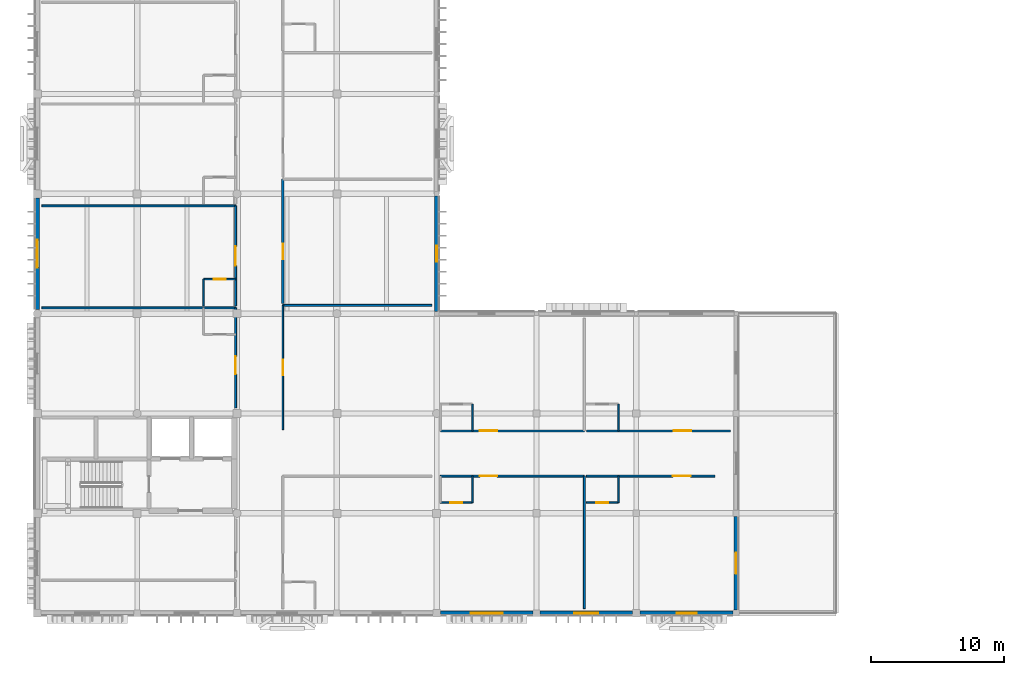
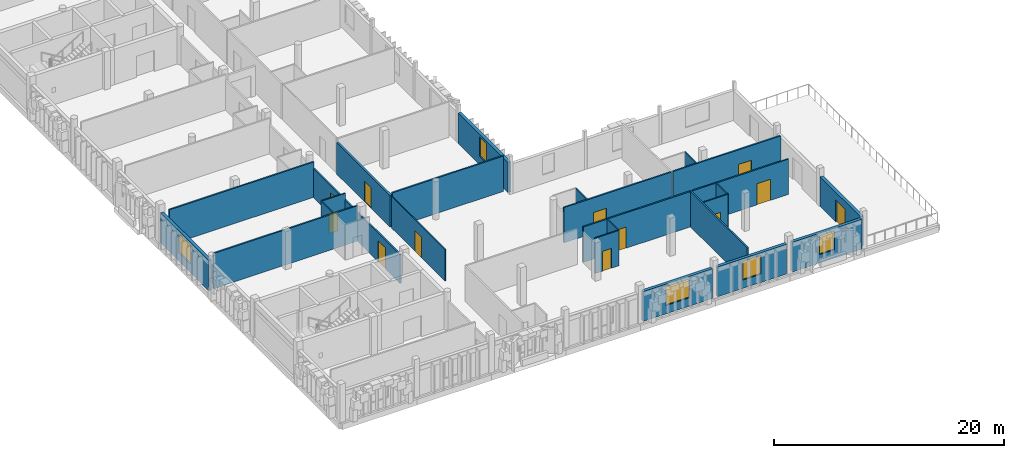
# One storey, part 11 of 33: 26 walls, 12 doors, 5 windows, 17 openings.
"""IFC4 building model written with IfcOpenShell, lengths in metres."""

from ifc_helpers import new_model, si_unit, direction, frame, frame_2d, origin, place, context, subcontext, project, spatial, rectangle, extrude, material, layer, layer_set, type_object, element, fill, save


model = new_model("IFC4")

# Units and contexts
model_context = context("Model", 3, precision=1e-05, world=origin(), true_north=direction((0.0, 1.0)))
body_context = subcontext(model_context, "Body", "Model", "MODEL_VIEW")
ifc_project = project(units=[si_unit("LENGTHUNIT", "METRE"), si_unit("AREAUNIT", "SQUARE_METRE"), si_unit("VOLUMEUNIT", "CUBIC_METRE"), si_unit("PLANEANGLEUNIT", "RADIAN"), si_unit("MASSUNIT", "GRAM", prefix="KILO")], contexts=[model_context])

# Site, building, storey
site_placement = place(None, origin())
site = spatial("IfcSite", under=ifc_project, at=site_placement, CompositionType="ELEMENT")
building_placement = place(site_placement, origin())
building = spatial("IfcBuilding", under=site, at=building_placement, Name="Dalvernix Boulevard General Hospital", CompositionType="ELEMENT")
storey_placement = place(building_placement, frame((0.0, 0.0, 21.89990234375)))
storey = spatial("IfcBuildingStorey", under=building, at=storey_placement, Name="L05", CompositionType="ELEMENT", Elevation=21.89990234375)

# Wall, opening, window
ifc_material_1 = material(Name="Pressed Catalan clay brick and ceramic spandrel wall C35/45", Category="masonry")
ifc_layer_1 = layer(ifc_material_1, 0.300048828125)
ifc_layer_set_1 = layer_set([ifc_layer_1], Name="Pressed Catalan clay brick and ceramic spandrel wall C35/45 (WAL-EW-02)")
wall_type_1 = type_object("IfcWallType", Name="WAL-EW-02", PredefinedType="STANDARD", material=ifc_layer_set_1)
wall_1_placement = place(storey_placement, frame((0.0, 22.81005859375, 0.0), z_axis=(0.0, 0.0, 1.0), x_axis=(0.0, 1.0, 0.0)))
wall_1 = element("IfcWall", 1, at=wall_1_placement, inside=storey, type_object=wall_type_1, Name="L05 Catalan brick external wall W 0-3", PredefinedType="STANDARD", context=body_context, shape_type="SweptSolid", body=[
    extrude(rectangle(XDim=8.3798828125, YDim=0.300048828125, at=frame_2d((4.18994140625, 0.0))), origin(), (0.0, 0.0, 1.0), 3.22021484375),
])
opening_1_placement = place(wall_1_placement, frame((3.139892578125, 0.0, 0.89990234375)))
opening_1 = element("IfcOpeningElement", 2, at=opening_1_placement, cuts=wall_1, Name="Opening WN-03", PredefinedType="OPENING", context=body_context, shape_type="SweptSolid", body=[
    extrude(rectangle(XDim=2.10009765625, YDim=2.0400390625, at=frame_2d((1.050048828125, 1.02001953125))), frame((0.0, 0.159912109375, 0.0), z_axis=(0.0, -1.0, 0.0), x_axis=(1.0, 0.0, 0.0)), (0.0, 0.0, 1.0), 0.320068359375),
])
ifc_material_2 = material(Name="Thermally broken aluminium frame with solar-control double glazing", Category="aluminium")
window_type_1 = type_object("IfcWindowType", Name="WIN-WN-03", PartitioningType="SINGLE_PANEL", PredefinedType="WINDOW", material=ifc_material_2)
window_1_placement = place(opening_1_placement, origin())
window_1 = element("IfcWindow", 3, at=window_1_placement, inside=storey, type_object=window_type_1, Name="L05 clinical window WN-03 W 0-3", OverallHeight=2.0400390625, OverallWidth=2.10009765625, PartitioningType="SINGLE_PANEL", PredefinedType="WINDOW", context=body_context, shape_type="SweptSolid", body=[
    extrude(rectangle(XDim=2.10009765625, YDim=2.0400390625, at=frame_2d((1.050048828125, 1.02001953125))), frame((0.0, 0.030029296875, 0.0), z_axis=(0.0, -1.0, 0.0), x_axis=(1.0, 0.0, 0.0)), (0.0, 0.0, 1.0), 0.06005859375),
])
fill(opening_1, window_1)

wall_2_placement = place(storey_placement, frame((30.0, 31.330078125, 0.0), z_axis=(0.0, 0.0, 1.0), x_axis=(0.0, -1.0, 0.0)))
wall_2 = element("IfcWall", 4, at=wall_2_placement, inside=storey, type_object=wall_type_1, Name="L05 Catalan brick external wall E 4-3", PredefinedType="STANDARD", context=body_context, shape_type="SweptSolid", body=[
    extrude(rectangle(XDim=8.66015625, YDim=0.300048828125, at=frame_2d((4.330078125, 0.0))), origin(), (0.0, 0.0, 1.0), 3.22021484375),
])
opening_2_placement = place(wall_2_placement, frame((3.72998046875, 0.0, 0.89990234375)))
opening_2 = element("IfcOpeningElement", 5, at=opening_2_placement, cuts=wall_2, Name="Opening WN-07", PredefinedType="OPENING", context=body_context, shape_type="SweptSolid", body=[
    extrude(rectangle(XDim=1.199951171875, YDim=2.0400390625, at=frame_2d((0.60009765625, 1.02001953125))), frame((0.0, 0.159912109375, 0.0), z_axis=(0.0, -1.0, 0.0), x_axis=(1.0, 0.0, 0.0)), (0.0, 0.0, 1.0), 0.320068359375),
])
window_type_2 = type_object("IfcWindowType", Name="WIN-WN-07", PartitioningType="SINGLE_PANEL", PredefinedType="WINDOW", material=ifc_material_2)
window_2_placement = place(opening_2_placement, origin())
window_2 = element("IfcWindow", 6, at=window_2_placement, inside=storey, type_object=window_type_2, Name="L05 clinical window WN-07 E 4-3", OverallHeight=2.0400390625, OverallWidth=1.199951171875, PartitioningType="SINGLE_PANEL", PredefinedType="WINDOW", context=body_context, shape_type="SweptSolid", body=[
    extrude(rectangle(XDim=1.199951171875, YDim=2.0400390625, at=frame_2d((0.60009765625, 1.02001953125))), frame((0.0, 0.030029296875, 0.0), z_axis=(0.0, -1.0, 0.0), x_axis=(1.0, 0.0, 0.0)), (0.0, 0.0, 1.0), 0.06005859375),
])
fill(opening_2, window_2)

wall_3_placement = place(storey_placement, frame((37.239990234375, 0.0, 0.0), z_axis=(0.0, 0.0, 1.0), x_axis=(-1.0, 0.0, 0.0)))
wall_3 = element("IfcWall", 7, at=wall_3_placement, inside=storey, type_object=wall_type_1, Name="L05 Catalan brick external wall S 4-0", PredefinedType="STANDARD", context=body_context, shape_type="SweptSolid", body=[
    extrude(rectangle(XDim=6.955078125, YDim=0.300048828125, at=frame_2d((3.4775390625, 0.0))), origin(), (0.0, 0.0, 1.0), 3.170166015625),
])
opening_3_placement = place(wall_3_placement, frame((2.277587890625, 0.0, 0.89990234375)))
opening_3 = element("IfcOpeningElement", 8, at=opening_3_placement, cuts=wall_3, Name="Opening WN-04", PredefinedType="OPENING", context=body_context, shape_type="SweptSolid", body=[
    extrude(rectangle(XDim=2.39990234375, YDim=1.989990234375, at=frame_2d((1.199951171875, 0.9951171875))), frame((0.0, 0.159912109375, 0.0), z_axis=(0.0, -1.0, 0.0), x_axis=(1.0, 0.0, 0.0)), (0.0, 0.0, 1.0), 0.320068359375),
])
window_type_3 = type_object("IfcWindowType", Name="WIN-WN-04", PartitioningType="SINGLE_PANEL", PredefinedType="WINDOW", material=ifc_material_2)
window_3_placement = place(opening_3_placement, origin())
window_3 = element("IfcWindow", 9, at=window_3_placement, inside=storey, type_object=window_type_3, Name="L05 clinical window WN-04 S 4-0", OverallHeight=1.989990234375, OverallWidth=2.39990234375, PartitioningType="SINGLE_PANEL", PredefinedType="WINDOW", context=body_context, shape_type="SweptSolid", body=[
    extrude(rectangle(XDim=2.39990234375, YDim=1.989990234375, at=frame_2d((1.199951171875, 0.9951171875))), frame((0.0, 0.030029296875, 0.0), z_axis=(0.0, -1.0, 0.0), x_axis=(1.0, 0.0, 0.0)), (0.0, 0.0, 1.0), 0.06005859375),
])
fill(opening_3, window_3)

wall_4_placement = place(storey_placement, frame((44.715087890625, 0.0, 0.0), z_axis=(0.0, 0.0, 1.0), x_axis=(-1.0, 0.0, 0.0)))
wall_4 = element("IfcWall", 10, at=wall_4_placement, inside=storey, type_object=wall_type_1, Name="L05 Catalan brick external wall S 5-0", PredefinedType="STANDARD", context=body_context, shape_type="SweptSolid", body=[
    extrude(rectangle(XDim=6.955078125, YDim=0.300048828125, at=frame_2d((3.4775390625, 0.0))), origin(), (0.0, 0.0, 1.0), 3.170166015625),
])
opening_4_placement = place(wall_4_placement, frame((2.577392578125, 0.0, 0.89990234375)))
opening_4 = element("IfcOpeningElement", 11, at=opening_4_placement, cuts=wall_4, Name="Opening WN-05", PredefinedType="OPENING", context=body_context, shape_type="SweptSolid", body=[
    extrude(rectangle(XDim=1.800048828125, YDim=1.989990234375, at=frame_2d((0.89990234375, 0.9951171875))), frame((0.0, 0.159912109375, 0.0), z_axis=(0.0, -1.0, 0.0), x_axis=(1.0, 0.0, 0.0)), (0.0, 0.0, 1.0), 0.320068359375),
])
window_type_4 = type_object("IfcWindowType", Name="WIN-WN-05", PartitioningType="SINGLE_PANEL", PredefinedType="WINDOW", material=ifc_material_2)
window_4_placement = place(opening_4_placement, origin())
window_4 = element("IfcWindow", 12, at=window_4_placement, inside=storey, type_object=window_type_4, Name="L05 clinical window WN-05 S 5-0", OverallHeight=1.989990234375, OverallWidth=1.800048828125, PartitioningType="SINGLE_PANEL", PredefinedType="WINDOW", context=body_context, shape_type="SweptSolid", body=[
    extrude(rectangle(XDim=1.800048828125, YDim=1.989990234375, at=frame_2d((0.89990234375, 0.9951171875))), frame((0.0, 0.030029296875, 0.0), z_axis=(0.0, -1.0, 0.0), x_axis=(1.0, 0.0, 0.0)), (0.0, 0.0, 1.0), 0.06005859375),
])
fill(opening_4, window_4)

wall_5_placement = place(storey_placement, frame((52.264892578125, 0.0, 0.0), z_axis=(0.0, 0.0, 1.0), x_axis=(-1.0, 0.0, 0.0)))
wall_5 = element("IfcWall", 13, at=wall_5_placement, inside=storey, type_object=wall_type_1, Name="L05 Catalan brick external wall S 6-0", PredefinedType="STANDARD", context=body_context, shape_type="SweptSolid", body=[
    extrude(rectangle(XDim=6.97998046875, YDim=0.300048828125, at=frame_2d((3.489990234375, 0.0))), origin(), (0.0, 0.0, 1.0), 3.170166015625),
])
opening_5_placement = place(wall_5_placement, frame((2.739990234375, 0.0, 0.89990234375)))
opening_5 = element("IfcOpeningElement", 14, at=opening_5_placement, cuts=wall_5, Name="Opening WN-06", PredefinedType="OPENING", context=body_context, shape_type="SweptSolid", body=[
    extrude(rectangle(XDim=1.5, YDim=1.989990234375, at=frame_2d((0.75, 0.9951171875))), frame((0.0, 0.159912109375, 0.0), z_axis=(0.0, -1.0, 0.0), x_axis=(1.0, 0.0, 0.0)), (0.0, 0.0, 1.0), 0.320068359375),
])
window_type_5 = type_object("IfcWindowType", Name="WIN-WN-06", PartitioningType="SINGLE_PANEL", PredefinedType="WINDOW", material=ifc_material_2)
window_5_placement = place(opening_5_placement, origin())
window_5 = element("IfcWindow", 15, at=window_5_placement, inside=storey, type_object=window_type_5, Name="L05 clinical window WN-06 S 6-0", OverallHeight=1.989990234375, OverallWidth=1.5, PartitioningType="SINGLE_PANEL", PredefinedType="WINDOW", context=body_context, shape_type="SweptSolid", body=[
    extrude(rectangle(XDim=1.5, YDim=1.989990234375, at=frame_2d((0.75, 0.9951171875))), frame((0.0, 0.030029296875, 0.0), z_axis=(0.0, -1.0, 0.0), x_axis=(1.0, 0.0, 0.0)), (0.0, 0.0, 1.0), 0.06005859375),
])
fill(opening_5, window_5)

# Wall, opening, door
wall_6_placement = place(storey_placement, frame((52.5, 7.264892578125, 0.0), z_axis=(0.0, 0.0, 1.0), x_axis=(0.0, -1.0, 0.0)))
wall_6 = element("IfcWall", 16, at=wall_6_placement, inside=storey, type_object=wall_type_1, Name="L05 Catalan brick external wall E 7-0", PredefinedType="STANDARD", context=body_context, shape_type="SweptSolid", body=[
    extrude(rectangle(XDim=7.02978515625, YDim=0.300048828125, at=frame_2d((3.514892578125, 0.0))), origin(), (0.0, 0.0, 1.0), 3.170166015625),
])
opening_6_placement = place(wall_6_placement, frame((2.715087890625, 0.0, 0.0)))
opening_6 = element("IfcOpeningElement", 17, at=opening_6_placement, cuts=wall_6, Name="Opening TD-16", PredefinedType="OPENING", context=body_context, shape_type="SweptSolid", body=[
    extrude(rectangle(XDim=1.60009765625, YDim=2.35009765625, at=frame_2d((0.800048828125, 1.175048828125))), frame((0.0, 0.159912109375, 0.0), z_axis=(0.0, -1.0, 0.0), x_axis=(1.0, 0.0, 0.0)), (0.0, 0.0, 1.0), 0.320068359375),
])
ifc_material_3 = material(Name="Powder-coated aluminium and laminated safety glass", Category="aluminium")
door_type_1 = type_object("IfcDoorType", Name="DR-TD-16", OperationType="DOUBLE_DOOR_SINGLE_SWING", PredefinedType="DOOR", material=ifc_material_3)
door_1_placement = place(opening_6_placement, origin())
door_1 = element("IfcDoor", 18, at=door_1_placement, inside=storey, type_object=door_type_1, Name="L05 ward terrace access door E 7-0", OperationType="DOUBLE_DOOR_SINGLE_SWING", OverallHeight=2.35009765625, OverallWidth=1.60009765625, PredefinedType="DOOR", context=body_context, shape_type="SweptSolid", body=[
    extrude(rectangle(XDim=1.60009765625, YDim=2.35009765625, at=frame_2d((0.800048828125, 1.175048828125))), frame((0.0, 0.02490234375, 0.0), z_axis=(0.0, -1.0, 0.0), x_axis=(1.0, 0.0, 0.0)), (0.0, 0.0, 1.0), 0.050048828125),
])
fill(opening_6, door_1)

ifc_material_4 = material(Name="Fire-compartment corridor masonry wall", Category="masonry")
ifc_layer_2 = layer(ifc_material_4, 0.199951171875)
ifc_layer_set_2 = layer_set([ifc_layer_2], Name="Fire-compartment corridor masonry wall (WAL-IW-02)")
wall_type_2 = type_object("IfcWallType", Name="WAL-IW-02", PredefinedType="STANDARD", material=ifc_layer_set_2)
wall_7_placement = place(storey_placement, frame((18.449951171875, 32.607421875, 0.0), z_axis=(0.0, 0.0, 1.0), x_axis=(0.0, -1.0, 0.0)))
wall_7 = element("IfcWall", 19, at=wall_7_placement, inside=storey, type_object=wall_type_2, Name="L05 Clinical Treatment and Procedure Room L05 corridor wall", PredefinedType="STANDARD", context=body_context, shape_type="SweptSolid", body=[
    extrude(rectangle(XDim=9.333740234375, YDim=0.199951171875, at=frame_2d((4.6669921875, 0.0))), origin(), (0.0, 0.0, 1.0), 3.35498046875),
])
opening_7_placement = place(wall_7_placement, frame((4.8603515625, 0.0, 0.0)))
opening_7 = element("IfcOpeningElement", 20, at=opening_7_placement, cuts=wall_7, Name="Opening ID-08", PredefinedType="OPENING", context=body_context, shape_type="SweptSolid", body=[
    extrude(rectangle(XDim=1.14990234375, YDim=2.199951171875, at=frame_2d((0.574951171875, 1.10009765625))), frame((0.0, 0.10986328125, 0.0), z_axis=(0.0, -1.0, 0.0), x_axis=(1.0, 0.0, 0.0)), (0.0, 0.0, 1.0), 0.219970703125),
])
ifc_material_5 = material(Name="Hospital laminate acoustic timber and steel frame", Category="steel")
door_type_2 = type_object("IfcDoorType", Name="DR-ID-08", OperationType="NOTDEFINED", PredefinedType="DOOR", material=ifc_material_5)
door_2_placement = place(opening_7_placement, origin())
door_2 = element("IfcDoor", 21, at=door_2_placement, inside=storey, type_object=door_type_2, Name="L05 Clinical Treatment and Procedure Room L05 door", OperationType="SINGLE_SWING_LEFT", OverallHeight=2.199951171875, OverallWidth=1.14990234375, PredefinedType="DOOR", context=body_context, shape_type="SweptSolid", body=[
    extrude(rectangle(XDim=1.14990234375, YDim=2.199951171875, at=frame_2d((0.574951171875, 1.10009765625))), frame((0.0, 0.02490234375, 0.0), z_axis=(0.0, -1.0, 0.0), x_axis=(1.0, 0.0, 0.0)), (0.0, 0.0, 1.0), 0.050048828125),
])
fill(opening_7, door_2)

ifc_material_6 = material(Name="Acoustic double-stud gypsum inpatient partition")
ifc_layer_3 = layer(ifc_material_6, 0.14990234375)
ifc_layer_set_3 = layer_set([ifc_layer_3], Name="Acoustic double-stud gypsum inpatient partition (WAL-IW-04)")
wall_type_3 = type_object("IfcWallType", Name="WAL-IW-04", PredefinedType="PARTITIONING", material=ifc_layer_set_3)
wall_8_placement = place(storey_placement, frame((14.89990234375, 15.429931640625, 0.0), z_axis=(0.0, 0.0, 1.0), x_axis=(0.0, 1.0, 0.0)))
wall_8 = element("IfcWall", 22, at=wall_8_placement, inside=storey, type_object=wall_type_3, Name="L05 Orthopaedic Single Patient Room L05-W02 corridor wall", PredefinedType="PARTITIONING", context=body_context, shape_type="SweptSolid", body=[
    extrude(rectangle(XDim=7.5, YDim=0.14990234375, at=frame_2d((3.75, 0.0))), origin(), (0.0, 0.0, 1.0), 3.05517578125),
])
opening_8_placement = place(wall_8_placement, frame((2.510009765625, 0.0, 0.0)))
opening_8 = element("IfcOpeningElement", 23, at=opening_8_placement, cuts=wall_8, Name="Opening ID-01", PredefinedType="OPENING", context=body_context, shape_type="SweptSolid", body=[
    extrude(rectangle(XDim=1.35009765625, YDim=2.25, at=frame_2d((0.675048828125, 1.125))), frame((0.0, 0.0849609375, 0.0), z_axis=(0.0, -1.0, 0.0), x_axis=(1.0, 0.0, 0.0)), (0.0, 0.0, 1.0), 0.169921875),
])
door_type_3 = type_object("IfcDoorType", Name="DR-ID-01", OperationType="NOTDEFINED", PredefinedType="DOOR", material=ifc_material_5)
door_3_placement = place(opening_8_placement, origin())
door_3 = element("IfcDoor", 24, at=door_3_placement, inside=storey, type_object=door_type_3, Name="L05 Orthopaedic Single Patient Room L05-W02 door", OperationType="SINGLE_SWING_RIGHT", OverallHeight=2.25, OverallWidth=1.35009765625, PredefinedType="DOOR", context=body_context, shape_type="SweptSolid", body=[
    extrude(rectangle(XDim=1.35009765625, YDim=2.25, at=frame_2d((0.675048828125, 1.125))), frame((0.0, 0.02490234375, 0.0), z_axis=(0.0, -1.0, 0.0), x_axis=(1.0, 0.0, 0.0)), (0.0, 0.0, 1.0), 0.050048828125),
])
fill(opening_8, door_3)

wall_9_placement = place(storey_placement, frame((14.89990234375, 23.090087890625, 0.0), z_axis=(0.0, 0.0, 1.0), x_axis=(0.0, 1.0, 0.0)))
wall_9 = element("IfcWall", 25, at=wall_9_placement, inside=storey, type_object=wall_type_3, Name="L05 Four Bed Surgical Recovery Ward L05-W03 corridor wall", PredefinedType="PARTITIONING", context=body_context, shape_type="SweptSolid", body=[
    extrude(rectangle(XDim=7.5, YDim=0.14990234375, at=frame_2d((3.75, 0.0))), origin(), (0.0, 0.0, 1.0), 3.05517578125),
])
opening_9_placement = place(wall_9_placement, frame((3.02490234375, 0.0, 0.0)))
opening_9 = element("IfcOpeningElement", 26, at=opening_9_placement, cuts=wall_9, Name="Opening ID-02", PredefinedType="OPENING", context=body_context, shape_type="SweptSolid", body=[
    extrude(rectangle(XDim=1.449951171875, YDim=2.300048828125, at=frame_2d((0.72509765625, 1.14990234375))), frame((0.0, 0.0849609375, 0.0), z_axis=(0.0, -1.0, 0.0), x_axis=(1.0, 0.0, 0.0)), (0.0, 0.0, 1.0), 0.169921875),
])
door_type_4 = type_object("IfcDoorType", Name="DR-ID-02", OperationType="NOTDEFINED", PredefinedType="DOOR", material=ifc_material_5)
door_4_placement = place(opening_9_placement, origin())
door_4 = element("IfcDoor", 27, at=door_4_placement, inside=storey, type_object=door_type_4, Name="L05 Four Bed Surgical Recovery Ward L05-W03 door", OperationType="SINGLE_SWING_RIGHT", OverallHeight=2.300048828125, OverallWidth=1.449951171875, PredefinedType="DOOR", context=body_context, shape_type="SweptSolid", body=[
    extrude(rectangle(XDim=1.449951171875, YDim=2.300048828125, at=frame_2d((0.72509765625, 1.14990234375))), frame((0.0, 0.02490234375, 0.0), z_axis=(0.0, -1.0, 0.0), x_axis=(1.0, 0.0, 0.0)), (0.0, 0.0, 1.0), 0.050048828125),
])
fill(opening_9, door_4)

wall_10_placement = place(storey_placement, frame((41.094970703125, 10.300048828125, 0.0), z_axis=(0.0, 0.0, 1.0), x_axis=(-1.0, 0.0, 0.0)))
wall_10 = element("IfcWall", 28, at=wall_10_placement, inside=storey, type_object=wall_type_3, Name="L05 Inpatient Ward Suite L05-S1 corridor wall", PredefinedType="PARTITIONING", context=body_context, shape_type="SweptSolid", body=[
    extrude(rectangle(XDim=10.81494140625, YDim=0.14990234375, at=frame_2d((5.407470703125, 0.0))), origin(), (0.0, 0.0, 1.0), 3.755126953125),
])
opening_10_placement = place(wall_10_placement, frame((6.525390625, 0.0, 0.0)))
opening_10 = element("IfcOpeningElement", 29, at=opening_10_placement, cuts=wall_10, Name="Opening ID-01", PredefinedType="OPENING", context=body_context, shape_type="SweptSolid", body=[
    extrude(rectangle(XDim=1.35009765625, YDim=2.25, at=frame_2d((0.675048828125, 1.125))), frame((0.0, 0.0849609375, 0.0), z_axis=(0.0, -1.0, 0.0), x_axis=(1.0, 0.0, 0.0)), (0.0, 0.0, 1.0), 0.169921875),
])
door_5_placement = place(opening_10_placement, origin())
door_5 = element("IfcDoor", 30, at=door_5_placement, inside=storey, type_object=door_type_3, Name="L05 Inpatient Ward Suite L05-S1 door", OperationType="SINGLE_SWING_RIGHT", OverallHeight=2.25, OverallWidth=1.35009765625, PredefinedType="DOOR", context=body_context, shape_type="SweptSolid", body=[
    extrude(rectangle(XDim=1.35009765625, YDim=2.25, at=frame_2d((0.675048828125, 1.125))), frame((0.0, 0.02490234375, 0.0), z_axis=(0.0, -1.0, 0.0), x_axis=(1.0, 0.0, 0.0)), (0.0, 0.0, 1.0), 0.050048828125),
])
fill(opening_10, door_5)

wall_11_placement = place(storey_placement, frame((30.280029296875, 13.699951171875, 0.0), z_axis=(0.0, 0.0, 1.0), x_axis=(1.0, 0.0, 0.0)))
wall_11 = element("IfcWall", 31, at=wall_11_placement, inside=storey, type_object=wall_type_3, Name="L05 Isolation Patient Room L05-N1 corridor wall", PredefinedType="PARTITIONING", context=body_context, shape_type="SweptSolid", body=[
    extrude(rectangle(XDim=10.81494140625, YDim=0.14990234375, at=frame_2d((5.407470703125, 0.0))), origin(), (0.0, 0.0, 1.0), 3.755126953125),
])
opening_11_placement = place(wall_11_placement, frame((2.95458984375, 0.0, 0.0)))
opening_11 = element("IfcOpeningElement", 32, at=opening_11_placement, cuts=wall_11, Name="Opening ID-03", PredefinedType="OPENING", context=body_context, shape_type="SweptSolid", body=[
    extrude(rectangle(XDim=1.300048828125, YDim=2.199951171875, at=frame_2d((0.64990234375, 1.10009765625))), frame((0.0, 0.0849609375, 0.0), z_axis=(0.0, -1.0, 0.0), x_axis=(1.0, 0.0, 0.0)), (0.0, 0.0, 1.0), 0.169921875),
])
door_type_5 = type_object("IfcDoorType", Name="DR-ID-03", OperationType="NOTDEFINED", PredefinedType="DOOR", material=ifc_material_5)
door_6_placement = place(opening_11_placement, origin())
door_6 = element("IfcDoor", 33, at=door_6_placement, inside=storey, type_object=door_type_5, Name="L05 Isolation Patient Room L05-N1 door", OperationType="SINGLE_SWING_RIGHT", OverallHeight=2.199951171875, OverallWidth=1.300048828125, PredefinedType="DOOR", context=body_context, shape_type="SweptSolid", body=[
    extrude(rectangle(XDim=1.300048828125, YDim=2.199951171875, at=frame_2d((0.64990234375, 1.10009765625))), frame((0.0, 0.02490234375, 0.0), z_axis=(0.0, -1.0, 0.0), x_axis=(1.0, 0.0, 0.0)), (0.0, 0.0, 1.0), 0.050048828125),
])
fill(opening_11, door_6)

wall_12_placement = place(storey_placement, frame((50.89990234375, 10.300048828125, 0.0), z_axis=(0.0, 0.0, 1.0), x_axis=(-1.0, 0.0, 0.0)))
wall_12 = element("IfcWall", 34, at=wall_12_placement, inside=storey, type_object=wall_type_3, Name="L05 Inpatient Ward Suite L05-S2 corridor wall", PredefinedType="PARTITIONING", context=body_context, shape_type="SweptSolid", body=[
    extrude(rectangle(XDim=9.64501953125, YDim=0.14990234375, at=frame_2d((4.822509765625, 0.0))), origin(), (0.0, 0.0, 1.0), 3.755126953125),
])
opening_12_placement = place(wall_12_placement, frame((1.80908203125, 0.0, 0.0)))
opening_12 = element("IfcOpeningElement", 35, at=opening_12_placement, cuts=wall_12, Name="Opening ID-01", PredefinedType="OPENING", context=body_context, shape_type="SweptSolid", body=[
    extrude(rectangle(XDim=1.35009765625, YDim=2.25, at=frame_2d((0.675048828125, 1.125))), frame((0.0, 0.0849609375, 0.0), z_axis=(0.0, -1.0, 0.0), x_axis=(1.0, 0.0, 0.0)), (0.0, 0.0, 1.0), 0.169921875),
])
door_7_placement = place(opening_12_placement, origin())
door_7 = element("IfcDoor", 36, at=door_7_placement, inside=storey, type_object=door_type_3, Name="L05 Inpatient Ward Suite L05-S2 door", OperationType="SINGLE_SWING_RIGHT", OverallHeight=2.25, OverallWidth=1.35009765625, PredefinedType="DOOR", context=body_context, shape_type="SweptSolid", body=[
    extrude(rectangle(XDim=1.35009765625, YDim=2.25, at=frame_2d((0.675048828125, 1.125))), frame((0.0, 0.02490234375, 0.0), z_axis=(0.0, -1.0, 0.0), x_axis=(1.0, 0.0, 0.0)), (0.0, 0.0, 1.0), 0.050048828125),
])
fill(opening_12, door_7)

wall_13_placement = place(storey_placement, frame((41.2548828125, 13.699951171875, 0.0), z_axis=(0.0, 0.0, 1.0), x_axis=(1.0, 0.0, 0.0)))
wall_13 = element("IfcWall", 37, at=wall_13_placement, inside=storey, type_object=wall_type_3, Name="L05 Isolation Patient Room L05-N2 corridor wall", PredefinedType="PARTITIONING", context=body_context, shape_type="SweptSolid", body=[
    extrude(rectangle(XDim=10.815185546875, YDim=0.14990234375, at=frame_2d((5.40771484375, 0.0))), origin(), (0.0, 0.0, 1.0), 3.755126953125),
])
opening_13_placement = place(wall_13_placement, frame((6.560546875, 0.0, 0.0)))
opening_13 = element("IfcOpeningElement", 38, at=opening_13_placement, cuts=wall_13, Name="Opening ID-03", PredefinedType="OPENING", context=body_context, shape_type="SweptSolid", body=[
    extrude(rectangle(XDim=1.300048828125, YDim=2.199951171875, at=frame_2d((0.64990234375, 1.10009765625))), frame((0.0, 0.0849609375, 0.0), z_axis=(0.0, -1.0, 0.0), x_axis=(1.0, 0.0, 0.0)), (0.0, 0.0, 1.0), 0.169921875),
])
door_8_placement = place(opening_13_placement, origin())
door_8 = element("IfcDoor", 39, at=door_8_placement, inside=storey, type_object=door_type_5, Name="L05 Isolation Patient Room L05-N2 door", OperationType="SINGLE_SWING_RIGHT", OverallHeight=2.199951171875, OverallWidth=1.300048828125, PredefinedType="DOOR", context=body_context, shape_type="SweptSolid", body=[
    extrude(rectangle(XDim=1.300048828125, YDim=2.199951171875, at=frame_2d((0.64990234375, 1.10009765625))), frame((0.0, 0.02490234375, 0.0), z_axis=(0.0, -1.0, 0.0), x_axis=(1.0, 0.0, 0.0)), (0.0, 0.0, 1.0), 0.050048828125),
])
fill(opening_13, door_8)

# Walls
for number, where, z_axis, x_axis, name in (
    (40, (0.35009765625, 22.929931640625, 0.0), (0.0, 0.0, 1.0), (1.0, 0.0, 0.0), "L05 Orthopaedic Single Patient Room L05-W02 partition"),
    (41, (0.35009765625, 30.590087890625, 0.0), (0.0, 0.0, 1.0), (1.0, 0.0, 0.0), "L05 Four Bed Surgical Recovery Ward L05-W03 partition"),
):
    element("IfcWall", number, at=place(storey_placement, frame(where, z_axis=z_axis, x_axis=x_axis)), inside=storey, type_object=wall_type_3, Name=name, PredefinedType="PARTITIONING", context=body_context, shape_type="SweptSolid", body=[
        extrude(rectangle(XDim=14.5498046875, YDim=0.14990234375, at=frame_2d((7.27490234375, 0.0))), origin(), (0.0, 0.0, 1.0), 3.755126953125),
    ])
wall_14_placement = place(storey_placement, frame((18.449951171875, 23.11376953125, 0.0), z_axis=(0.0, 0.0, 1.0), x_axis=(1.0, 0.0, 0.0)))
element("IfcWall", 42, at=wall_14_placement, inside=storey, type_object=wall_type_3, Name="L05 Ward Nurse Station and Medication Prep L05 partition", PredefinedType="PARTITIONING", context=body_context, shape_type="SweptSolid", body=[
    extrude(rectangle(XDim=11.199951171875, YDim=0.14990234375, at=frame_2d((5.60009765625, 0.0))), origin(), (0.0, 0.0, 1.0), 3.755126953125),
])
wall_15_placement = place(storey_placement, frame((41.094970703125, 0.35009765625, 0.0), z_axis=(0.0, 0.0, 1.0), x_axis=(0.0, 1.0, 0.0)))
element("IfcWall", 43, at=wall_15_placement, inside=storey, type_object=wall_type_3, Name="L05 Inpatient Ward Suite L05-S1 partition", PredefinedType="PARTITIONING", context=body_context, shape_type="SweptSolid", body=[
    extrude(rectangle(XDim=9.949951171875, YDim=0.14990234375, at=frame_2d((4.97509765625, 0.0))), origin(), (0.0, 0.0, 1.0), 3.755126953125),
])

# Wall, opening, door
ifc_material_7 = material(Name="Moisture-resistant en-suite bathroom partition")
ifc_layer_4 = layer(ifc_material_7, 0.1201171875)
ifc_layer_set_4 = layer_set([ifc_layer_4], Name="Moisture-resistant en-suite bathroom partition (WAL-IW-05)")
wall_type_4 = type_object("IfcWallType", Name="WAL-IW-05", PredefinedType="PARTITIONING", material=ifc_layer_set_4)
wall_16_placement = place(storey_placement, frame((14.89990234375, 25.090087890625, 0.0), z_axis=(0.0, 0.0, 1.0), x_axis=(-1.0, 0.0, 0.0)))
wall_16 = element("IfcWall", 44, at=wall_16_placement, inside=storey, type_object=wall_type_4, Name="L05 en-suite bathroom door wall", PredefinedType="PARTITIONING", context=body_context, shape_type="SweptSolid", body=[
    extrude(rectangle(XDim=2.39990234375, YDim=0.1201171875, at=frame_2d((1.199951171875, 0.0))), origin(), (0.0, 0.0, 1.0), 3.755126953125),
])
opening_14_placement = place(wall_16_placement, frame((0.75, 0.0, 0.0)))
opening_14 = element("IfcOpeningElement", 45, at=opening_14_placement, cuts=wall_16, Name="Opening ID-05", PredefinedType="OPENING", context=body_context, shape_type="SweptSolid", body=[
    extrude(rectangle(XDim=0.89990234375, YDim=2.10009765625, at=frame_2d((0.449951171875, 1.050048828125))), frame((0.0, 0.070068359375, 0.0), z_axis=(0.0, -1.0, 0.0), x_axis=(1.0, 0.0, 0.0)), (0.0, 0.0, 1.0), 0.14013671875),
])
door_type_6 = type_object("IfcDoorType", Name="DR-ID-05", OperationType="NOTDEFINED", PredefinedType="DOOR", material=ifc_material_5)
door_9_placement = place(opening_14_placement, origin())
door_9 = element("IfcDoor", 46, at=door_9_placement, inside=storey, type_object=door_type_6, Name="L05 L05-WRD-W03 en-suite bathroom door", OperationType="SINGLE_SWING_LEFT", OverallHeight=2.10009765625, OverallWidth=0.89990234375, PredefinedType="DOOR", context=body_context, shape_type="SweptSolid", body=[
    extrude(rectangle(XDim=0.89990234375, YDim=2.10009765625, at=frame_2d((0.449951171875, 1.050048828125))), frame((0.0, 0.02490234375, 0.0), z_axis=(0.0, -1.0, 0.0), x_axis=(1.0, 0.0, 0.0)), (0.0, 0.0, 1.0), 0.050048828125),
])
fill(opening_14, door_9)

# Wall
wall_17_placement = place(storey_placement, frame((12.5, 23.090087890625, 0.0), z_axis=(0.0, 0.0, 1.0), x_axis=(0.0, 1.0, 0.0)))
element("IfcWall", 47, at=wall_17_placement, inside=storey, type_object=wall_type_4, Name="L05 en-suite bathroom side wall", PredefinedType="PARTITIONING", context=body_context, shape_type="SweptSolid", body=[
    extrude(rectangle(XDim=2.0, YDim=0.1201171875, at=frame_2d((1.0, 0.0))), origin(), (0.0, 0.0, 1.0), 3.755126953125),
])

# Wall, opening, door
wall_18_placement = place(storey_placement, frame((30.280029296875, 8.300048828125, 0.0), z_axis=(0.0, 0.0, 1.0), x_axis=(1.0, 0.0, 0.0)))
wall_18 = element("IfcWall", 48, at=wall_18_placement, inside=storey, type_object=wall_type_4, Name="L05 en-suite bathroom door wall", PredefinedType="PARTITIONING", context=body_context, shape_type="SweptSolid", body=[
    extrude(rectangle(XDim=2.39990234375, YDim=0.1201171875, at=frame_2d((1.199951171875, 0.0))), origin(), (0.0, 0.0, 1.0), 3.755126953125),
])
opening_15_placement = place(wall_18_placement, frame((0.75, 0.0, 0.0)))
opening_15 = element("IfcOpeningElement", 49, at=opening_15_placement, cuts=wall_18, Name="Opening ID-05", PredefinedType="OPENING", context=body_context, shape_type="SweptSolid", body=[
    extrude(rectangle(XDim=0.89990234375, YDim=2.10009765625, at=frame_2d((0.449951171875, 1.050048828125))), frame((0.0, 0.070068359375, 0.0), z_axis=(0.0, -1.0, 0.0), x_axis=(1.0, 0.0, 0.0)), (0.0, 0.0, 1.0), 0.14013671875),
])
door_10_placement = place(opening_15_placement, origin())
door_10 = element("IfcDoor", 50, at=door_10_placement, inside=storey, type_object=door_type_6, Name="L05 L05-SW-S1 en-suite bathroom door", OperationType="SINGLE_SWING_LEFT", OverallHeight=2.10009765625, OverallWidth=0.89990234375, PredefinedType="DOOR", context=body_context, shape_type="SweptSolid", body=[
    extrude(rectangle(XDim=0.89990234375, YDim=2.10009765625, at=frame_2d((0.449951171875, 1.050048828125))), frame((0.0, 0.02490234375, 0.0), z_axis=(0.0, -1.0, 0.0), x_axis=(1.0, 0.0, 0.0)), (0.0, 0.0, 1.0), 0.050048828125),
])
fill(opening_15, door_10)

# Walls
for number, where, z_axis, x_axis, name in (
    (51, (32.679931640625, 8.300048828125, 0.0), (0.0, 0.0, 1.0), (0.0, 1.0, 0.0), "L05 en-suite bathroom side wall"),
    (52, (32.679931640625, 13.699951171875, 0.0), (0.0, 0.0, 1.0), (0.0, 1.0, 0.0), "L05 en-suite bathroom side wall"),
):
    element("IfcWall", number, at=place(storey_placement, frame(where, z_axis=z_axis, x_axis=x_axis)), inside=storey, type_object=wall_type_4, Name=name, PredefinedType="PARTITIONING", context=body_context, shape_type="SweptSolid", body=[
        extrude(rectangle(XDim=2.0, YDim=0.1201171875, at=frame_2d((1.0, 0.0))), origin(), (0.0, 0.0, 1.0), 3.755126953125),
    ])

# Wall, opening, door
wall_19_placement = place(storey_placement, frame((41.2548828125, 8.300048828125, 0.0), z_axis=(0.0, 0.0, 1.0), x_axis=(1.0, 0.0, 0.0)))
wall_19 = element("IfcWall", 53, at=wall_19_placement, inside=storey, type_object=wall_type_4, Name="L05 en-suite bathroom door wall", PredefinedType="PARTITIONING", context=body_context, shape_type="SweptSolid", body=[
    extrude(rectangle(XDim=2.400146484375, YDim=0.1201171875, at=frame_2d((1.2001953125, 0.0))), origin(), (0.0, 0.0, 1.0), 3.755126953125),
])
opening_16_placement = place(wall_19_placement, frame((0.75, 0.0, 0.0)))
opening_16 = element("IfcOpeningElement", 54, at=opening_16_placement, cuts=wall_19, Name="Opening ID-05", PredefinedType="OPENING", context=body_context, shape_type="SweptSolid", body=[
    extrude(rectangle(XDim=0.89990234375, YDim=2.10009765625, at=frame_2d((0.449951171875, 1.050048828125))), frame((0.0, 0.070068359375, 0.0), z_axis=(0.0, -1.0, 0.0), x_axis=(1.0, 0.0, 0.0)), (0.0, 0.0, 1.0), 0.14013671875),
])
door_11_placement = place(opening_16_placement, origin())
door_11 = element("IfcDoor", 55, at=door_11_placement, inside=storey, type_object=door_type_6, Name="L05 L05-SW-S2 en-suite bathroom door", OperationType="SINGLE_SWING_LEFT", OverallHeight=2.10009765625, OverallWidth=0.89990234375, PredefinedType="DOOR", context=body_context, shape_type="SweptSolid", body=[
    extrude(rectangle(XDim=0.89990234375, YDim=2.10009765625, at=frame_2d((0.449951171875, 1.050048828125))), frame((0.0, 0.02490234375, 0.0), z_axis=(0.0, -1.0, 0.0), x_axis=(1.0, 0.0, 0.0)), (0.0, 0.0, 1.0), 0.050048828125),
])
fill(opening_16, door_11)

# Walls
for number, where, z_axis, x_axis, name in (
    (56, (43.655029296875, 8.300048828125, 0.0), (0.0, 0.0, 1.0), (0.0, 1.0, 0.0), "L05 en-suite bathroom side wall"),
    (57, (43.655029296875, 13.699951171875, 0.0), (0.0, 0.0, 1.0), (0.0, 1.0, 0.0), "L05 en-suite bathroom side wall"),
):
    element("IfcWall", number, at=place(storey_placement, frame(where, z_axis=z_axis, x_axis=x_axis)), inside=storey, type_object=wall_type_4, Name=name, PredefinedType="PARTITIONING", context=body_context, shape_type="SweptSolid", body=[
        extrude(rectangle(XDim=2.0, YDim=0.1201171875, at=frame_2d((1.0, 0.0))), origin(), (0.0, 0.0, 1.0), 3.755126953125),
    ])

# Wall, opening, door
ifc_material_8 = material(Name="Fire-resisting clinical sub-partition")
ifc_layer_5 = layer(ifc_material_8, 0.10009765625)
ifc_layer_set_5 = layer_set([ifc_layer_5], Name="Fire-resisting clinical sub-partition (WAL-IW-06)")
wall_type_5 = type_object("IfcWallType", Name="WAL-IW-06", PredefinedType="PARTITIONING", material=ifc_layer_set_5)
wall_20_placement = place(storey_placement, frame((18.449951171875, 23.11376953125, 0.0), z_axis=(0.0, 0.0, 1.0), x_axis=(0.0, -1.0, 0.0)))
wall_20 = element("IfcWall", 58, at=wall_20_placement, inside=storey, type_object=wall_type_5, Name="L05 Ward Nurse Station and Medication Prep L05 corridor wall", PredefinedType="PARTITIONING", context=body_context, shape_type="SweptSolid", body=[
    extrude(rectangle(XDim=9.333740234375, YDim=0.10009765625, at=frame_2d((4.6669921875, 0.0))), origin(), (0.0, 0.0, 1.0), 3.35498046875),
])
opening_17_placement = place(wall_20_placement, frame((4.091796875, 0.0, 0.0)))
opening_17 = element("IfcOpeningElement", 59, at=opening_17_placement, cuts=wall_20, Name="Opening ID-08", PredefinedType="OPENING", context=body_context, shape_type="SweptSolid", body=[
    extrude(rectangle(XDim=1.14990234375, YDim=2.199951171875, at=frame_2d((0.574951171875, 1.10009765625))), frame((0.0, 0.06005859375, 0.0), z_axis=(0.0, -1.0, 0.0), x_axis=(1.0, 0.0, 0.0)), (0.0, 0.0, 1.0), 0.1201171875),
])
door_12_placement = place(opening_17_placement, origin())
door_12 = element("IfcDoor", 60, at=door_12_placement, inside=storey, type_object=door_type_2, Name="L05 Ward Nurse Station and Medication Prep L05 door", OperationType="SINGLE_SWING_RIGHT", OverallHeight=2.199951171875, OverallWidth=1.14990234375, PredefinedType="DOOR", context=body_context, shape_type="SweptSolid", body=[
    extrude(rectangle(XDim=1.14990234375, YDim=2.199951171875, at=frame_2d((0.574951171875, 1.10009765625))), frame((0.0, 0.02490234375, 0.0), z_axis=(0.0, -1.0, 0.0), x_axis=(1.0, 0.0, 0.0)), (0.0, 0.0, 1.0), 0.050048828125),
])
fill(opening_17, door_12)

save(model, "model.ifc")
